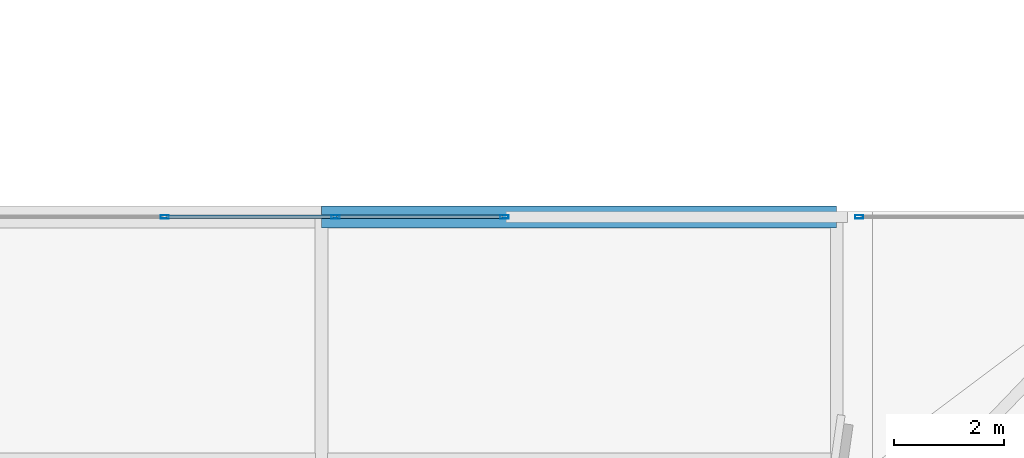
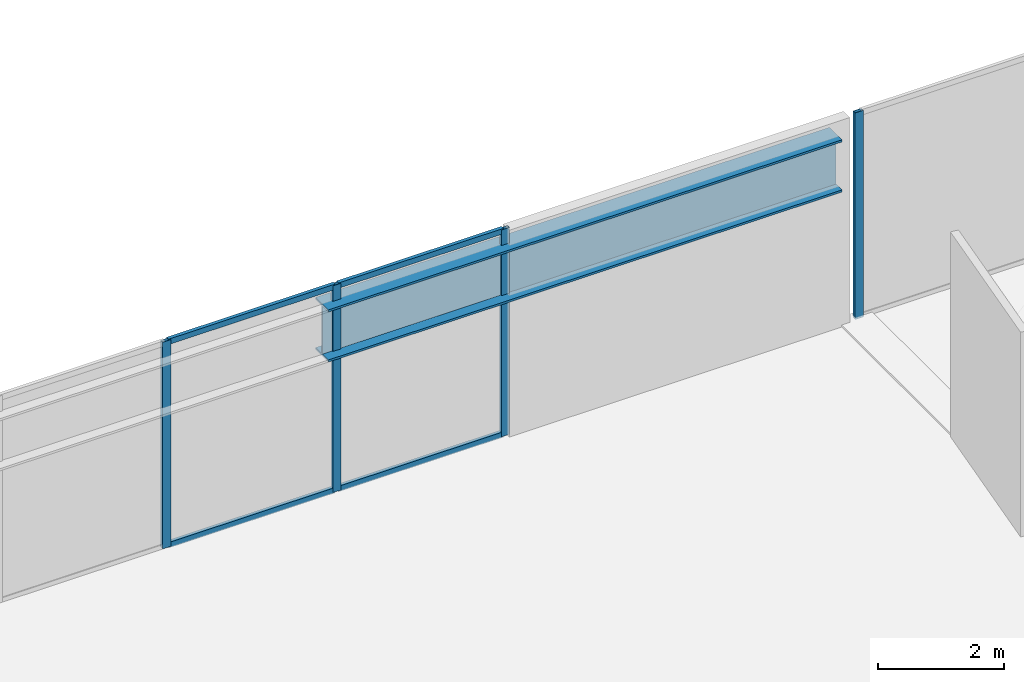
# One storey, part 26 of 51: 8 members, 1 beam, 2 elements without a shape of their own.
"""IFC4 building model written with IfcOpenShell, lengths in metres."""

from ifc_helpers import new_model, si_unit, direction, frame, origin, origin_2d, place, context, subcontext, project, spatial, hollow_rectangle, i_section, extrude, material, material_profile, profile_set, type_object, element, aggregate, save


model = new_model("IFC4")

# Units and contexts
model_context = context("Model", 3, precision=1e-05, world=origin(), true_north=direction((0.0, 1.0)))
body_context = subcontext(model_context, "Body", "Model", "MODEL_VIEW")
ifc_project = project(units=[si_unit("LENGTHUNIT", "METRE"), si_unit("AREAUNIT", "SQUARE_METRE"), si_unit("VOLUMEUNIT", "CUBIC_METRE"), si_unit("PLANEANGLEUNIT", "RADIAN"), si_unit("MASSUNIT", "GRAM", prefix="KILO")], contexts=[model_context])

# Site, building, storey
site_placement = place(None, origin())
site = spatial("IfcSite", under=ifc_project, at=site_placement, CompositionType="ELEMENT")
building_placement = place(site_placement, origin())
building = spatial("IfcBuilding", under=site, at=building_placement, Name="Tashvorn Skyway Center", CompositionType="ELEMENT")
storey_placement = place(building_placement, frame((0.0, 0.0, 259.39990234375)))
storey = spatial("IfcBuildingStorey", under=building, at=storey_placement, Name="L70", CompositionType="ELEMENT", Elevation=259.39990234375)

# Beam
ifc_material_1 = material(Name="Steel ASTM A913 Grade 65", Category="steel")
ifc_material_profile_1 = material_profile(ifc_material_1, i_section(OverallWidth=0.40087890625, OverallDepth=1.010986328125, WebThickness=0.023681640625, FlangeThickness=0.0419921875, at=origin_2d()), Name="W40X297")
ifc_profile_set_1 = profile_set([ifc_material_profile_1], Name="Steel ASTM A913 Grade 65")
beam_type = type_object("IfcBeamType", Name="BM-BEAM-W40X297", PredefinedType="BEAM", material=ifc_profile_set_1)
beam_placement = place(storey_placement, frame((85.10009765625, 39.89990234375, 3.194580078125), z_axis=(1.0, 0.0, 0.0), x_axis=(0.0, 1.0, 0.0)))
element("IfcBeam", 1, at=beam_placement, inside=storey, type_object=beam_type, Name="Sky-Park Truss 2 Top Chord Panel 09", PredefinedType="BEAM", context=body_context, shape_type="SweptSolid", body=[
    extrude(i_section(OverallWidth=0.40087890625, OverallDepth=1.010986328125, WebThickness=0.023681640625, FlangeThickness=0.0419921875, at=origin_2d()), origin(), (0.0, 0.0, 1.0), 9.39990234375),
])

# Curtain wall, members
ifc_material_2 = material(Name="Thermally broken bronze-anodized aluminium 6063-T6", Category="aluminium")
curtain_wall_type = type_object("IfcCurtainWallType", Name="CW-CW-SKY", PredefinedType="NOTDEFINED", material=ifc_material_2)
curtain_wall_1_placement = place(storey_placement, origin())
curtain_wall_1 = element("IfcCurtainWall", 2, at=curtain_wall_1_placement, inside=storey, type_object=curtain_wall_type, Name="Sky-Park L70 Bridge North Curtain Wall Glazing Group 2", PredefinedType="NOTDEFINED")
ifc_material_profile_2 = material_profile(ifc_material_2, hollow_rectangle(XDim=0.06494140625, YDim=0.14990234375, WallThickness=0.00390625, at=origin_2d()), Name="ALU-MULL-65x150")
ifc_profile_set_2 = profile_set([ifc_material_profile_2], Name="Thermally broken bronze-anodized aluminium 6063-T6")
member_type_1 = type_object("IfcMemberType", Name="CWM-CW-SKY", PredefinedType="MULLION", material=ifc_profile_set_2)
member_1_placement = place(storey_placement, frame((82.239990234375, 39.89990234375, 0.0), z_axis=(0.0, 0.0, 1.0), x_axis=(0.0, 1.0, 0.0)))
member_1 = element("IfcMember", 3, at=member_1_placement, type_object=member_type_1, Name="CW-SKY mullion 2", PredefinedType="MULLION", context=body_context, shape_type="SweptSolid", body=[
    extrude(hollow_rectangle(XDim=0.06494140625, YDim=0.14990234375, WallThickness=0.00390625, at=origin_2d()), origin(), (0.0, 0.0, 1.0), 4.0),
])
member_2_placement = place(storey_placement, frame((85.35498046875, 39.89990234375, 0.0), z_axis=(0.0, 0.0, 1.0), x_axis=(0.0, 1.0, 0.0)))
member_2 = element("IfcMember", 4, at=member_2_placement, type_object=member_type_1, Name="CW-SKY mullion 3", PredefinedType="MULLION", context=body_context, shape_type="SweptSolid", body=[
    extrude(hollow_rectangle(XDim=0.06494140625, YDim=0.14990234375, WallThickness=0.00390625, at=origin_2d()), origin(), (0.0, 0.0, 1.0), 4.0),
])
member_3_placement = place(storey_placement, frame((88.4375, 39.89990234375, 0.0), z_axis=(0.0, 0.0, 1.0), x_axis=(0.0, 1.0, 0.0)))
member_3 = element("IfcMember", 5, at=member_3_placement, type_object=member_type_1, Name="CW-SKY mullion 4", PredefinedType="MULLION", context=body_context, shape_type="SweptSolid", body=[
    extrude(hollow_rectangle(XDim=0.06494140625, YDim=0.14990234375, WallThickness=0.00390625, at=origin_2d()), origin(), (0.0, 0.0, 1.0), 4.0),
])

# Curtain wall, member
curtain_wall_2_placement = place(storey_placement, origin())
curtain_wall_2 = element("IfcCurtainWall", 6, at=curtain_wall_2_placement, inside=storey, type_object=curtain_wall_type, Name="Tower 2 L70 Vestibule North Curtain Wall", PredefinedType="NOTDEFINED")
member_4_placement = place(storey_placement, frame((94.91259765625, 39.89990234375, 0.0), z_axis=(0.0, 0.0, 1.0), x_axis=(0.0, 1.0, 0.0)))
member_4 = element("IfcMember", 7, at=member_4_placement, type_object=member_type_1, Name="CW-SKY mullion 1", PredefinedType="MULLION", context=body_context, shape_type="SweptSolid", body=[
    extrude(hollow_rectangle(XDim=0.06494140625, YDim=0.14990234375, WallThickness=0.00390625, at=origin_2d()), origin(), (0.0, 0.0, 1.0), 4.0),
])
aggregate(curtain_wall_2, [member_4])

# Member
ifc_material_profile_3 = material_profile(ifc_material_2, hollow_rectangle(XDim=0.06494140625, YDim=0.10498046875, WallThickness=0.00390625, at=origin_2d()), Name="ALU-TRAN-65x105")
ifc_profile_set_3 = profile_set([ifc_material_profile_3], Name="Thermally broken bronze-anodized aluminium 6063-T6")
member_type_2 = type_object("IfcMemberType", Name="CWT-CW-SKY", PredefinedType="USERDEFINED", material=ifc_profile_set_3)
member_5_placement = place(storey_placement, frame((82.2724609375, 39.89990234375, 0.03271484375), z_axis=(1.0, 0.0, 0.0), x_axis=(0.0, 1.0, 0.0)))
member_5 = element("IfcMember", 8, at=member_5_placement, type_object=member_type_2, Name="CW-SKY transom 2.1", ObjectType="TRANSOM", PredefinedType="USERDEFINED", context=body_context, shape_type="SweptSolid", body=[
    extrude(hollow_rectangle(XDim=0.06494140625, YDim=0.10498046875, WallThickness=0.00390625, at=origin_2d()), origin(), (0.0, 0.0, 1.0), 3.050048828125),
])

member_6_placement = place(storey_placement, frame((82.2724609375, 39.89990234375, 3.967529296875), z_axis=(1.0, 0.0, 0.0), x_axis=(0.0, 1.0, 0.0)))
member_6 = element("IfcMember", 9, at=member_6_placement, type_object=member_type_2, Name="CW-SKY transom 2.2", ObjectType="TRANSOM", PredefinedType="USERDEFINED", context=body_context, shape_type="SweptSolid", body=[
    extrude(hollow_rectangle(XDim=0.06494140625, YDim=0.10498046875, WallThickness=0.00390625, at=origin_2d()), origin(), (0.0, 0.0, 1.0), 3.050048828125),
])

member_7_placement = place(storey_placement, frame((85.387451171875, 39.89990234375, 0.03271484375), z_axis=(1.0, 0.0, 0.0), x_axis=(0.0, 1.0, 0.0)))
member_7 = element("IfcMember", 10, at=member_7_placement, type_object=member_type_2, Name="CW-SKY transom 3.1", ObjectType="TRANSOM", PredefinedType="USERDEFINED", context=body_context, shape_type="SweptSolid", body=[
    extrude(hollow_rectangle(XDim=0.06494140625, YDim=0.10498046875, WallThickness=0.00390625, at=origin_2d()), origin(), (0.0, 0.0, 1.0), 3.017578125),
])

member_8_placement = place(storey_placement, frame((85.387451171875, 39.89990234375, 3.967529296875), z_axis=(1.0, 0.0, 0.0), x_axis=(0.0, 1.0, 0.0)))
member_8 = element("IfcMember", 11, at=member_8_placement, type_object=member_type_2, Name="CW-SKY transom 3.2", ObjectType="TRANSOM", PredefinedType="USERDEFINED", context=body_context, shape_type="SweptSolid", body=[
    extrude(hollow_rectangle(XDim=0.06494140625, YDim=0.10498046875, WallThickness=0.00390625, at=origin_2d()), origin(), (0.0, 0.0, 1.0), 3.017578125),
])

aggregate(curtain_wall_1, [member_1, member_2, member_3, member_5, member_6, member_7, member_8])

save(model, "model.ifc")
